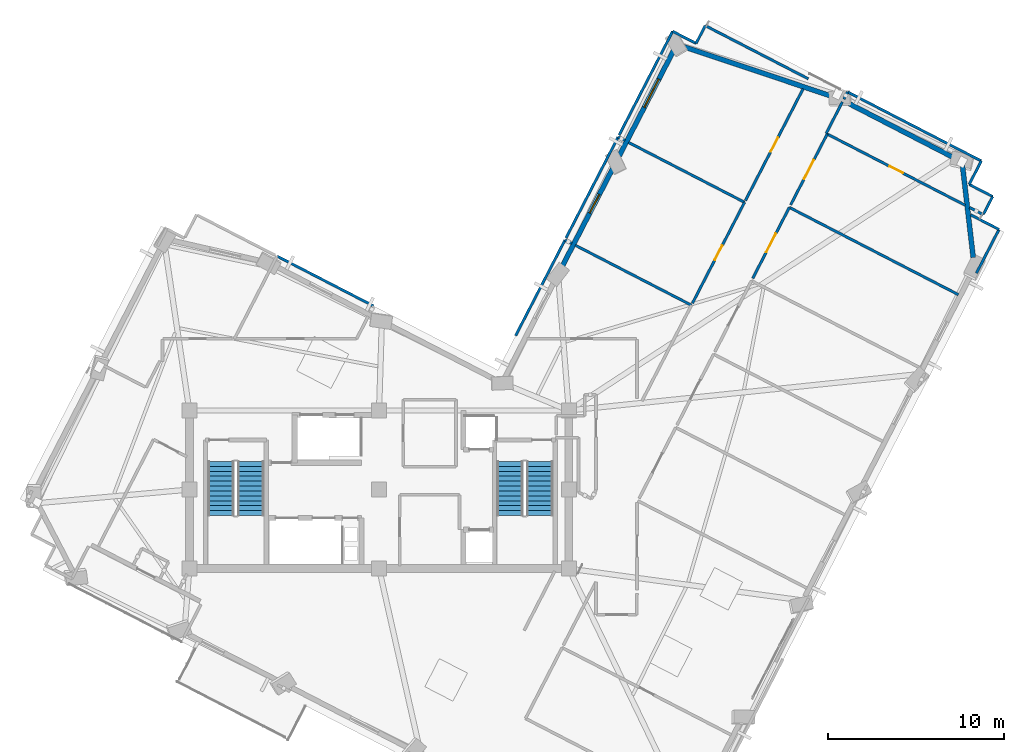
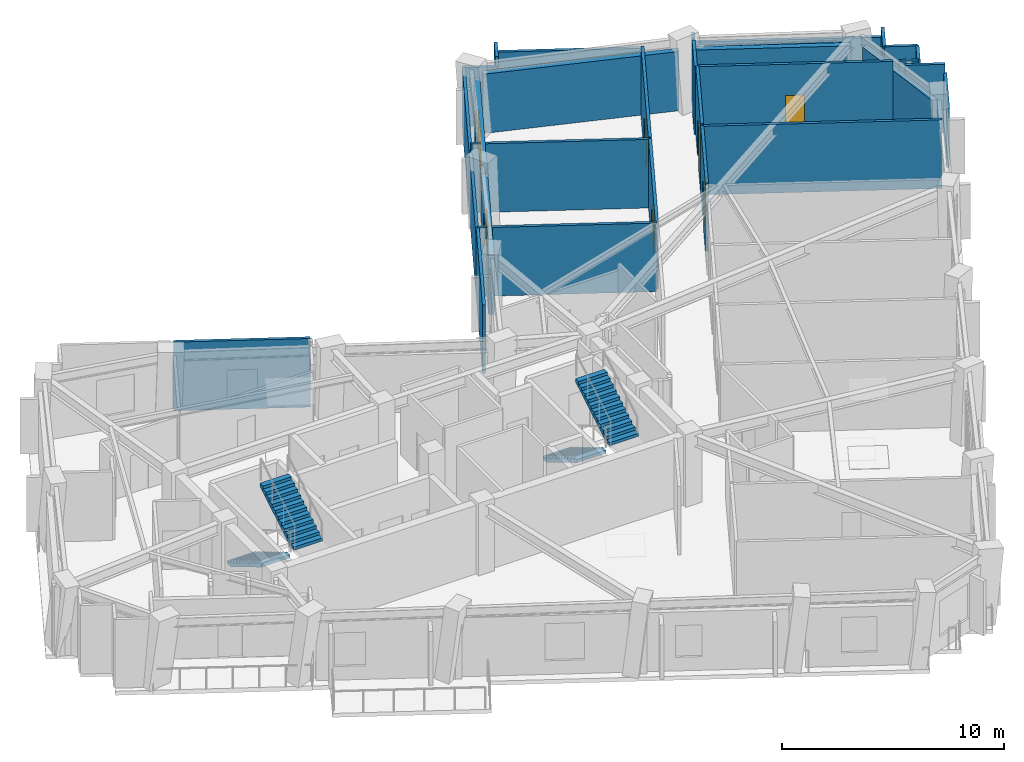
# One storey, part 8 of 11: 31 walls, 5 doors, 4 stair flights, 2 windows, 7 openings, 2 elements without a shape of their own.
"""IFC4 building model written with IfcOpenShell, lengths in metres."""

import ifcopenshell
import ifcopenshell.guid

model = None  # the IFC model being written
_history = None  # IfcOwnerHistory: only IFC2X3 demands one
_inside = {}  # id of a spatial element -> (the spatial element, [elements in it])
_under = {}  # id of a project, library or spatial element -> (it, [spatial elements below it])
_declared = {}  # id of a project -> (the project, [libraries it declares])
_typed = {}  # id of a type object -> (the type object, [elements of that type])
_made_of = {}  # id of a material, layer set ... -> (it, [elements and type objects made of it])


def new_model(schema):
    """Start an empty IFC model of exactly this schema.

    Asked for "IFC4X3", IfcOpenShell would pick the latest addendum, in which some entities
    have other attributes; the version numbers below select the first issue.
    IFC2X3 requires an IfcOwnerHistory on every rooted entity: one is made here for all.
    """
    global model, _history
    if schema == "IFC4X3":
        model = ifcopenshell.file(schema_version=(4, 3, 0, 0))
    else:
        model = ifcopenshell.file(schema=schema)
    _inside.clear()
    _under.clear()
    _declared.clear()
    _typed.clear()
    _made_of.clear()
    _history = None
    if model.schema == "IFC2X3":
        org = make("IfcOrganization", Name="unknown")
        user = make(
            "IfcPersonAndOrganization",
            ThePerson=make("IfcPerson", FamilyName="unknown"),
            TheOrganization=org,
        )
        app = make(
            "IfcApplication",
            ApplicationDeveloper=org,
            Version="unknown",
            ApplicationFullName="unknown",
            ApplicationIdentifier="unknown",
        )
        _history = make(
            "IfcOwnerHistory",
            OwningUser=user,
            OwningApplication=app,
            ChangeAction="ADDED",
            CreationDate=0,
        )
    return model


def make(cls, **values):
    """One entity of the class cls with the attributes given. An attribute that is None is left unset."""
    return model.create_entity(
        cls, **{name: value for name, value in values.items() if value is not None}
    )


def rooted(cls, **values):
    """An entity with a GlobalId (a new one), such as an element, a storey or a relation."""
    return make(cls, GlobalId=ifcopenshell.guid.new(), OwnerHistory=_history, **values)


def si_unit(unit_type, name, prefix=None):
    """IfcSIUnit, for example si_unit("LENGTHUNIT", "METRE", prefix="MILLI")."""
    return make("IfcSIUnit", UnitType=unit_type, Prefix=prefix, Name=name)


def assignment(units):
    """IfcUnitAssignment: the units of a project."""
    return None if units is None else make("IfcUnitAssignment", Units=units)


def point(xyz):
    """IfcCartesianPoint."""
    return None if xyz is None else make("IfcCartesianPoint", Coordinates=xyz)


def direction(xyz):
    """IfcDirection."""
    return None if xyz is None else make("IfcDirection", DirectionRatios=xyz)


def frame(location, z_axis=None, x_axis=None):
    """IfcAxis2Placement3D, a coordinate frame: its origin and axes. An axis left out is left unset."""
    return make(
        "IfcAxis2Placement3D",
        Location=point(location),
        Axis=direction(z_axis),
        RefDirection=direction(x_axis),
    )


def frame_2d(location, x_axis=None):
    """IfcAxis2Placement2D, a coordinate frame in the plane: its origin and x axis."""
    return make(
        "IfcAxis2Placement2D", Location=point(location), RefDirection=direction(x_axis)
    )


def origin():
    """The frame at (0, 0, 0) with its axes left unset."""
    return frame((0.0, 0.0, 0.0))


def place(relative_to, where):
    """IfcLocalPlacement: puts the frame where relative to a parent placement (None: the world)."""
    return make(
        "IfcLocalPlacement", PlacementRelTo=relative_to, RelativePlacement=where
    )


def context(
    kind, dimensions, precision=None, world=None, true_north=None, identifier=None
):
    """IfcGeometricRepresentationContext, for example the 3D "Model" context."""
    return make(
        "IfcGeometricRepresentationContext",
        ContextIdentifier=identifier,
        ContextType=kind,
        CoordinateSpaceDimension=dimensions,
        Precision=precision,
        WorldCoordinateSystem=world,
        TrueNorth=true_north,
    )


def subcontext(parent, identifier, kind, view, scale=None):
    """IfcGeometricRepresentationSubContext, for example "Body" below "Model"."""
    return make(
        "IfcGeometricRepresentationSubContext",
        ContextIdentifier=identifier,
        ContextType=kind,
        ParentContext=parent,
        TargetScale=scale,
        TargetView=view,
    )


def project(units=None, contexts=None):
    """IfcProject with its units and contexts."""
    return rooted(
        "IfcProject",
        Name="project",
        RepresentationContexts=contexts,
        UnitsInContext=assignment(units),
    )


def spatial(cls, under=None, at=None, **own):
    """A site, building, storey or space (cls), placed at a placement, below another one or the project."""
    s = rooted(cls, ObjectPlacement=at, **own)
    if under is not None:
        _under.setdefault(under.id(), (under, []))[1].append(s)
    return s


def polyline(points):
    """IfcPolyline through the points."""
    return make("IfcPolyline", Points=[point(p) for p in points])


def profile(cls, at=None, kind="AREA", **sizes):
    """A parametric profile (cls). Its sizes go by their IFC names, for example OverallWidth=200.0."""
    return make(cls, ProfileType=kind, Position=at, **sizes)


def rectangle(**sizes):
    """IfcRectangleProfileDef."""
    return profile("IfcRectangleProfileDef", **sizes)


def outline(outer, holes=None, kind="AREA"):
    """IfcArbitraryClosedProfileDef: a profile drawn as a closed curve; with holes, ...WithVoids."""
    if holes is None:
        return make("IfcArbitraryClosedProfileDef", ProfileType=kind, OuterCurve=outer)
    return make(
        "IfcArbitraryProfileDefWithVoids",
        ProfileType=kind,
        OuterCurve=outer,
        InnerCurves=holes,
    )


def extrude(swept, where, along, depth):
    """IfcExtrudedAreaSolid: the profile swept, set in the frame where, extruded along a direction by depth."""
    return make(
        "IfcExtrudedAreaSolid",
        SweptArea=swept,
        Position=where,
        ExtrudedDirection=direction(along),
        Depth=depth,
    )


def shape(context_of_items, identifier, shape_type, items):
    """IfcShapeRepresentation: the items that make up one representation, for example the "Body"."""
    return make(
        "IfcShapeRepresentation",
        ContextOfItems=context_of_items,
        RepresentationIdentifier=identifier,
        RepresentationType=shape_type,
        Items=items,
    )


def material(Name=None, Category=None):
    """IfcMaterial."""
    return make("IfcMaterial", Name=Name, Category=Category)


def layer(
    of_material, thickness, ventilated=None, Name=None, Category=None, Priority=None
):
    """IfcMaterialLayer: one layer of a wall or slab, of a material (None: an air gap)."""
    return make(
        "IfcMaterialLayer",
        Material=of_material,
        LayerThickness=thickness,
        IsVentilated=ventilated,
        Name=Name,
        Category=Category,
        Priority=Priority,
    )


def layer_set(layers, Name=None):
    """IfcMaterialLayerSet."""
    return make("IfcMaterialLayerSet", MaterialLayers=layers, LayerSetName=Name)


def made_of(thing, what):
    """Note that an element or type object is made of a material, layer set ...; save() writes the relation."""
    if what is not None:
        _made_of.setdefault(what.id(), (what, []))[1].append(thing)
    return thing


def type_object(cls, material=None, **own):
    """A type object (cls), such as IfcWallType, which elements share."""
    return made_of(rooted(cls, **own), material)


def element(
    cls,
    number,
    at=None,
    inside=None,
    cuts=None,
    type_object=None,
    material=None,
    context=None,
    identifier="Body",
    shape_type=None,
    held_by="IfcProductDefinitionShape",
    body=None,
    shapes=None,
    **own,
):
    """One element of the class cls, such as IfcWall. Its Tag is "e" and its number.

    at: its placement. inside: the storey or other place that contains it. cuts: it is an
    opening in that element (IfcRelVoidsElement). A single representation is given by context,
    identifier, shape_type and body (its items); several are given by shapes. held_by: the class
    of the entity that holds the representations. save() writes the other relations.
    """
    e = rooted(cls, Tag="e%d" % number, ObjectPlacement=at, **own)
    if body is not None:
        shapes = [shape(context, identifier, shape_type, body)]
    if shapes is not None:
        e.Representation = make(held_by, Representations=shapes)
    if inside is not None:
        _inside.setdefault(inside.id(), (inside, []))[1].append(e)
    if cuts is not None:
        rooted(
            "IfcRelVoidsElement", RelatingBuildingElement=cuts, RelatedOpeningElement=e
        )
    if type_object is not None:
        _typed.setdefault(type_object.id(), (type_object, []))[1].append(e)
    return made_of(e, material)


def fill(opening, filler):
    """IfcRelFillsElement: the door or window that sits in an opening."""
    return rooted(
        "IfcRelFillsElement",
        RelatingOpeningElement=opening,
        RelatedBuildingElement=filler,
    )


def aggregate(whole, parts):
    """IfcRelAggregates: a whole, such as a stair, and the parts it consists of."""
    return rooted("IfcRelAggregates", RelatingObject=whole, RelatedObjects=parts)


def save(model, path):
    """Write the relations noted so far, then the file.

    IfcRelAggregates (storeys below a building ...), IfcRelContainedInSpatialStructure (elements
    in a storey), IfcRelDefinesByType, IfcRelAssociatesMaterial and IfcRelDeclares: one each for
    every whole, place, type object, material and project.
    """
    for whole, parts in _under.values():
        aggregate(whole, parts)
    for where, things in _inside.values():
        rooted(
            "IfcRelContainedInSpatialStructure",
            RelatedElements=things,
            RelatingStructure=where,
        )
    for kind, things in _typed.values():
        rooted("IfcRelDefinesByType", RelatedObjects=things, RelatingType=kind)
    for what, things in _made_of.values():
        rooted("IfcRelAssociatesMaterial", RelatedObjects=things, RelatingMaterial=what)
    for by, libraries in _declared.values():
        rooted("IfcRelDeclares", RelatingContext=by, RelatedDefinitions=libraries)
    model.write(path)


model = new_model("IFC4")

# Units and contexts
model_context = context("Model", 3, precision=1e-05, world=origin(), true_north=direction((0.0, 1.0)))
body_context = subcontext(model_context, "Body", "Model", "MODEL_VIEW")
ifc_project = project(units=[si_unit("LENGTHUNIT", "METRE"), si_unit("AREAUNIT", "SQUARE_METRE"), si_unit("VOLUMEUNIT", "CUBIC_METRE"), si_unit("PLANEANGLEUNIT", "RADIAN"), si_unit("MASSUNIT", "GRAM", prefix="KILO")], contexts=[model_context])

# Site, building, storey
site_placement = place(None, origin())
site = spatial("IfcSite", under=ifc_project, at=site_placement, CompositionType="ELEMENT")
building_placement = place(site_placement, origin())
building = spatial("IfcBuilding", under=site, at=building_placement, Name="Gaonmaruhae Medical Tower", CompositionType="ELEMENT")
storey_placement = place(building_placement, frame((0.0, 0.0, 292.60009765625)))
storey = spatial("IfcBuildingStorey", under=building, at=storey_placement, Name="L70", CompositionType="ELEMENT", Elevation=292.60009765625)

# Walls
ifc_material_1 = material(Name="Precast concrete C45/55", Category="concrete")
ifc_layer_1 = layer(ifc_material_1, 0.280029296875)
ifc_layer_set_1 = layer_set([ifc_layer_1], Name="Precast concrete C45/55")
wall_type_1 = type_object("IfcWallType", Name="EW-280 Upper Precast Masonry-Frame Facade Wall", PredefinedType="SOLIDWALL", material=ifc_layer_set_1)
wall_1_placement = place(storey_placement, frame((58.009033203125, 30.76123046875, 0.0), z_axis=(0.0, 0.0, 1.0), x_axis=(0.115795015277, -0.993273131841, 0.0)))
element("IfcWall", 1, at=wall_1_placement, inside=storey, type_object=wall_type_1, Name="L70 Precast Masonry-Frame Wall S06-E01", PredefinedType="SOLIDWALL", context=body_context, shape_type="SweptSolid", body=[
    extrude(rectangle(XDim=5.294189453125, YDim=0.280029296875, at=frame_2d((2.64697265625, 0.0))), origin(), (0.0, 0.0, 1.0), 3.264892578125),
])
wall_2_placement = place(storey_placement, frame((51.2763671875, 34.41357421875, 0.0), z_axis=(0.0, 0.0, 1.0), x_axis=(0.888608813348, -0.458665866226, 0.0)))
element("IfcWall", 2, at=wall_2_placement, inside=storey, type_object=wall_type_1, Name="L70 Precast Masonry-Frame Wall E01-E02", PredefinedType="SOLIDWALL", context=body_context, shape_type="SweptSolid", body=[
    extrude(rectangle(XDim=7.04638671875, YDim=0.280029296875, at=frame_2d((3.523193359375, 0.0))), origin(), (0.0, 0.0, 1.0), 3.264892578125),
])
wall_3_placement = place(storey_placement, frame((42.0078125, 37.556396484375, 0.0), z_axis=(0.0, 0.0, 1.0), x_axis=(0.948271827041, -0.317459512443, 0.0)))
element("IfcWall", 3, at=wall_3_placement, inside=storey, type_object=wall_type_1, Name="L70 Precast Masonry-Frame Wall E02-E03", PredefinedType="SOLIDWALL", context=body_context, shape_type="SweptSolid", body=[
    extrude(rectangle(XDim=9.036376953125, YDim=0.280029296875, at=frame_2d((4.51806640625, 0.0))), origin(), (0.0, 0.0, 1.0), 3.264892578125),
])

# Wall, opening, window
wall_4_placement = place(storey_placement, frame((38.47021484375, 31.29248046875, 0.0), z_axis=(0.0, 0.0, 1.0), x_axis=(0.458656678591, 0.888613555593, 0.0)))
wall_4 = element("IfcWall", 4, at=wall_4_placement, inside=storey, type_object=wall_type_1, Name="L70 Precast Masonry-Frame Wall E03-EN01", PredefinedType="SOLIDWALL", context=body_context, shape_type="SweptSolid", body=[
    extrude(rectangle(XDim=6.77978515625, YDim=0.280029296875, at=frame_2d((3.389892578125, 0.0))), origin(), (0.0, 0.0, 1.0), 3.264892578125),
])
opening_1_placement = place(wall_4_placement, frame((3.112548828125, 0.0, 0.75)))
opening_1 = element("IfcOpeningElement", 5, at=opening_1_placement, cuts=wall_4, Name="Opening WN-04", PredefinedType="OPENING", context=body_context, shape_type="SweptSolid", body=[
    extrude(rectangle(XDim=1.800048828125, YDim=2.050048828125, at=frame_2d((0.89990234375, 1.02490234375))), frame((0.0, 0.14990234375, 0.0), z_axis=(0.0, -1.0, 0.0), x_axis=(1.0, 0.0, 0.0)), (0.0, 0.0, 1.0), 0.300048828125),
])
ifc_material_2 = material(Name="Anodised aluminium and Low-E double glazing", Category="aluminium")
window_type_1 = type_object("IfcWindowType", Name="WN-04 Clinic & Consult Punched Window 1800x2050", PartitioningType="SINGLE_PANEL", PredefinedType="WINDOW", material=ifc_material_2)
window_1_placement = place(opening_1_placement, origin())
window_1 = element("IfcWindow", 6, at=window_1_placement, inside=storey, type_object=window_type_1, Name="L70 Modular Facade Window E03", OverallHeight=2.050048828125, OverallWidth=1.800048828125, PartitioningType="SINGLE_PANEL", PredefinedType="WINDOW", context=body_context, shape_type="SweptSolid", body=[
    extrude(rectangle(XDim=1.800048828125, YDim=2.050048828125, at=frame_2d((0.89990234375, 1.02490234375))), frame((0.0, 0.030029296875, 0.0), z_axis=(0.0, -1.0, 0.0), x_axis=(1.0, 0.0, 0.0)), (0.0, 0.0, 1.0), 0.06005859375),
])
fill(opening_1, window_1)

wall_5_placement = place(storey_placement, frame((35.17041015625, 24.8994140625, 0.0), z_axis=(0.0, 0.0, 1.0), x_axis=(0.458649711601, 0.888617151561, 0.0)))
wall_5 = element("IfcWall", 7, at=wall_5_placement, inside=storey, type_object=wall_type_1, Name="L70 Precast Masonry-Frame Wall EN01-EN02", PredefinedType="SOLIDWALL", context=body_context, shape_type="SweptSolid", body=[
    extrude(rectangle(XDim=6.409423828125, YDim=0.280029296875, at=frame_2d((3.20458984375, 0.0))), origin(), (0.0, 0.0, 1.0), 3.264892578125),
])
opening_2_placement = place(wall_5_placement, frame((3.532958984375, 0.0, 0.75)))
opening_2 = element("IfcOpeningElement", 8, at=opening_2_placement, cuts=wall_5, Name="Opening WN-05", PredefinedType="OPENING", context=body_context, shape_type="SweptSolid", body=[
    extrude(rectangle(XDim=1.199951171875, YDim=1.75, at=frame_2d((0.60009765625, 0.875))), frame((0.0, 0.14990234375, 0.0), z_axis=(0.0, -1.0, 0.0), x_axis=(1.0, 0.0, 0.0)), (0.0, 0.0, 1.0), 0.300048828125),
])
window_type_2 = type_object("IfcWindowType", Name="WN-05 Support & Staff Punched Window 1200x1750", PartitioningType="SINGLE_PANEL", PredefinedType="WINDOW", material=ifc_material_2)
window_2_placement = place(opening_2_placement, origin())
window_2 = element("IfcWindow", 9, at=window_2_placement, inside=storey, type_object=window_type_2, Name="L70 Modular Facade Window EN01", OverallHeight=1.75, OverallWidth=1.199951171875, PartitioningType="SINGLE_PANEL", PredefinedType="WINDOW", context=body_context, shape_type="SweptSolid", body=[
    extrude(rectangle(XDim=1.199951171875, YDim=1.75, at=frame_2d((0.60009765625, 0.875))), frame((0.0, 0.030029296875, 0.0), z_axis=(0.0, -1.0, 0.0), x_axis=(1.0, 0.0, 0.0)), (0.0, 0.0, 1.0), 0.06005859375),
])
fill(opening_2, window_2)

# Wall, opening, door
ifc_material_3 = material(Name="Gypsum board partition", Category="gypsum")
ifc_layer_2 = layer(ifc_material_3, 0.14990234375)
ifc_layer_set_2 = layer_set([ifc_layer_2], Name="Gypsum board partition")
wall_type_2 = type_object("IfcWallType", Name="PW-150 Rated Clinical Corridor Partition", PredefinedType="PARTITIONING", material=ifc_layer_set_2)
wall_6_placement = place(storey_placement, frame((46.072021484375, 24.326904296875, 0.0), z_axis=(0.0, 0.0, 1.0), x_axis=(0.458621001786, 0.888631969221, 0.0)))
wall_6 = element("IfcWall", 10, at=wall_6_placement, inside=storey, type_object=wall_type_2, Name="L70 Interior Partition L70-SUP08-28", PredefinedType="PARTITIONING", context=body_context, shape_type="SweptSolid", body=[
    extrude(rectangle(XDim=4.539794921875, YDim=0.14990234375, at=frame_2d((2.27001953125, 0.0))), origin(), (0.0, 0.0, 1.0), 3.77978515625),
])
opening_3_placement = place(wall_6_placement, frame((1.669921875, 0.0, 0.0)))
opening_3 = element("IfcOpeningElement", 11, at=opening_3_placement, cuts=wall_6, Name="Opening CD-02", PredefinedType="OPENING", context=body_context, shape_type="SweptSolid", body=[
    extrude(rectangle(XDim=1.199951171875, YDim=2.14990234375, at=frame_2d((0.60009765625, 1.074951171875))), frame((0.0, 0.0849609375, 0.0), z_axis=(0.0, -1.0, 0.0), x_axis=(1.0, 0.0, 0.0)), (0.0, 0.0, 1.0), 0.169921875),
])
ifc_material_4 = material(Name="Antimicrobial laminate timber fire door", Category="wood")
door_type_1 = type_object("IfcDoorType", Name="CD-02 Clinical Treatment & Procedure Door 1200x2150", OperationType="NOTDEFINED", PredefinedType="DOOR", material=ifc_material_4)
door_1_placement = place(opening_3_placement, origin())
door_1 = element("IfcDoor", 12, at=door_1_placement, inside=storey, type_object=door_type_1, Name="L70 Clinical Biomedical Charting Office Door", OperationType="SINGLE_SWING_LEFT", OverallHeight=2.14990234375, OverallWidth=1.199951171875, PredefinedType="DOOR", context=body_context, shape_type="SweptSolid", body=[
    extrude(rectangle(XDim=1.199951171875, YDim=2.14990234375, at=frame_2d((0.60009765625, 1.074951171875))), frame((0.0, 0.02490234375, 0.0), z_axis=(0.0, -1.0, 0.0), x_axis=(1.0, 0.0, 0.0)), (0.0, 0.0, 1.0), 0.050048828125),
])
fill(opening_3, door_1)

# Walls
wall_7_placement = place(storey_placement, frame((48.154052734375, 28.361083984375, 0.0), z_axis=(0.0, 0.0, 1.0), x_axis=(0.888649389218, -0.458587246926, 0.0)))
element("IfcWall", 13, at=wall_7_placement, inside=storey, type_object=wall_type_2, Name="L70 Interior Partition L70-SUP08-29", PredefinedType="PARTITIONING", context=body_context, shape_type="SweptSolid", body=[
    extrude(rectangle(XDim=10.83544921875, YDim=0.14990234375, at=frame_2d((5.417724609375, 0.0))), origin(), (0.0, 0.0, 1.0), 3.77978515625),
])
wall_8_placement = place(storey_placement, frame((60.089111328125, 27.10791015625, 0.0), z_axis=(0.0, 0.0, 1.0), x_axis=(-0.45864291977, -0.888620657055, 0.0)))
element("IfcWall", 14, at=wall_8_placement, inside=storey, type_object=wall_type_2, Name="L70 Interior Partition L70-SUP09-30", PredefinedType="PARTITIONING", context=body_context, shape_type="SweptSolid", body=[
    extrude(rectangle(XDim=2.802001953125, YDim=0.14990234375, at=frame_2d((1.40087890625, 0.0))), origin(), (0.0, 0.0, 1.0), 3.264892578125),
])

# Wall, opening, door
wall_9_placement = place(storey_placement, frame((48.22802734375, 28.5029296875, 0.0), z_axis=(0.0, 0.0, 1.0), x_axis=(0.458533348006, 0.888677201669, 0.0)))
wall_9 = element("IfcWall", 15, at=wall_9_placement, inside=storey, type_object=wall_type_2, Name="L70 Interior Partition L70-SUP09-31", PredefinedType="PARTITIONING", context=body_context, shape_type="SweptSolid", body=[
    extrude(rectangle(XDim=4.54052734375, YDim=0.14990234375, at=frame_2d((2.270263671875, 0.0))), origin(), (0.0, 0.0, 1.0), 3.77978515625),
])
opening_4_placement = place(wall_9_placement, frame((1.670166015625, 0.0, 0.0)))
opening_4 = element("IfcOpeningElement", 16, at=opening_4_placement, cuts=wall_9, Name="Opening CD-02", PredefinedType="OPENING", context=body_context, shape_type="SweptSolid", body=[
    extrude(rectangle(XDim=1.199951171875, YDim=2.14990234375, at=frame_2d((0.60009765625, 1.074951171875))), frame((0.0, 0.0849609375, 0.0), z_axis=(0.0, -1.0, 0.0), x_axis=(1.0, 0.0, 0.0)), (0.0, 0.0, 1.0), 0.169921875),
])
door_2_placement = place(opening_4_placement, origin())
door_2 = element("IfcDoor", 17, at=door_2_placement, inside=storey, type_object=door_type_1, Name="L70 Clinical Biomedical Charting Office Door", OperationType="SINGLE_SWING_RIGHT", OverallHeight=2.14990234375, OverallWidth=1.199951171875, PredefinedType="DOOR", context=body_context, shape_type="SweptSolid", body=[
    extrude(rectangle(XDim=1.199951171875, YDim=2.14990234375, at=frame_2d((0.60009765625, 1.074951171875))), frame((0.0, 0.02490234375, 0.0), z_axis=(0.0, -1.0, 0.0), x_axis=(1.0, 0.0, 0.0)), (0.0, 0.0, 1.0), 0.050048828125),
])
fill(opening_4, door_2)

wall_10_placement = place(storey_placement, frame((50.31005859375, 32.5380859375, 0.0), z_axis=(0.0, 0.0, 1.0), x_axis=(0.888597759836, -0.458687280415, 0.0)))
wall_10 = element("IfcWall", 18, at=wall_10_placement, inside=storey, type_object=wall_type_2, Name="L70 Interior Partition L70-SUP09-32", PredefinedType="PARTITIONING", context=body_context, shape_type="SweptSolid", body=[
    extrude(rectangle(XDim=8.831787109375, YDim=0.14990234375, at=frame_2d((4.416015625, 0.0))), origin(), (0.0, 0.0, 1.0), 3.77978515625),
])
opening_5_placement = place(wall_10_placement, frame((3.98583984375, 0.0, 0.0)))
opening_5 = element("IfcOpeningElement", 19, at=opening_5_placement, cuts=wall_10, Name="Opening AD-01", PredefinedType="OPENING", context=body_context, shape_type="SweptSolid", body=[
    extrude(rectangle(XDim=0.860107421875, YDim=2.06005859375, at=frame_2d((0.43017578125, 1.030029296875))), frame((0.0, 0.0849609375, 0.0), z_axis=(0.0, -1.0, 0.0), x_axis=(1.0, 0.0, 0.0)), (0.0, 0.0, 1.0), 0.169921875),
])
ifc_material_5 = material(Name="Powder-coated steel access door", Category="steel")
door_type_2 = type_object("IfcDoorType", Name="AD-01 Riser & Closet Access Fire Door 860x2060", OperationType="NOTDEFINED", PredefinedType="DOOR", material=ifc_material_5)
door_3_placement = place(opening_5_placement, origin())
door_3 = element("IfcDoor", 20, at=door_3_placement, inside=storey, type_object=door_type_2, Name="L70 Clinical Records Office Sliding Door", OperationType="SLIDING_TO_LEFT", OverallHeight=2.06005859375, OverallWidth=0.860107421875, PredefinedType="DOOR", context=body_context, shape_type="SweptSolid", body=[
    extrude(rectangle(XDim=0.860107421875, YDim=2.06005859375, at=frame_2d((0.43017578125, 1.030029296875))), frame((0.0, 0.02490234375, 0.0), z_axis=(0.0, -1.0, 0.0), x_axis=(1.0, 0.0, 0.0)), (0.0, 0.0, 1.0), 0.050048828125),
])
fill(opening_5, door_3)

# Walls
wall_11_placement = place(storey_placement, frame((58.405029296875, 28.35888671875, 0.0), z_axis=(0.0, 0.0, 1.0), x_axis=(0.888761263452, -0.458370392354, 0.0)))
element("IfcWall", 21, at=wall_11_placement, inside=storey, type_object=wall_type_2, Name="L70 Interior Partition L70-SUP09-33", PredefinedType="PARTITIONING", context=body_context, shape_type="SweptSolid", body=[
    extrude(rectangle(XDim=0.89013671875, YDim=0.14990234375, at=frame_2d((0.445068359375, 0.0))), origin(), (0.0, 0.0, 1.0), 3.77978515625),
])
wall_12_placement = place(storey_placement, frame((58.470947265625, 27.94189453125, 0.0), z_axis=(0.0, 0.0, 1.0), x_axis=(0.88888850719, -0.458123587894, 0.0)))
element("IfcWall", 22, at=wall_12_placement, inside=storey, type_object=wall_type_2, Name="L70 Interior Partition L70-SUP09-34", PredefinedType="PARTITIONING", context=body_context, shape_type="SweptSolid", body=[
    extrude(rectangle(XDim=1.820556640625, YDim=0.14990234375, at=frame_2d((0.91015625, 0.0))), origin(), (0.0, 0.0, 1.0), 3.77978515625),
])
wall_13_placement = place(storey_placement, frame((32.56591796875, 21.052001953125, 0.0), z_axis=(0.0, 0.0, 1.0), x_axis=(0.45865608207, 0.888613863486, 0.0)))
element("IfcWall", 23, at=wall_13_placement, inside=storey, type_object=wall_type_2, Name="L70 Interior Partition L70-IE03-71", PredefinedType="PARTITIONING", context=body_context, shape_type="SweptSolid", body=[
    extrude(rectangle(XDim=6.14208984375, YDim=0.14990234375, at=frame_2d((3.071044921875, 0.0))), origin(), (0.0, 0.0, 1.0), 3.77978515625),
])
wall_14_placement = place(storey_placement, frame((35.383056640625, 26.510009765625, 0.0), z_axis=(0.0, 0.0, 1.0), x_axis=(0.888849679111, -0.458198917442, 0.0)))
element("IfcWall", 24, at=wall_14_placement, inside=storey, type_object=wall_type_2, Name="L70 Interior Partition L70-IE03-72", PredefinedType="PARTITIONING", context=body_context, shape_type="SweptSolid", body=[
    extrude(rectangle(XDim=0.434326171875, YDim=0.14990234375, at=frame_2d((0.21728515625, 0.0))), origin(), (0.0, 0.0, 1.0), 3.77978515625),
])
wall_15_placement = place(storey_placement, frame((35.97412109375, 26.205078125, 0.0), z_axis=(0.0, 0.0, 1.0), x_axis=(0.888613749746, -0.458656302433, 0.0)))
element("IfcWall", 25, at=wall_15_placement, inside=storey, type_object=wall_type_2, Name="L70 Interior Partition L70-IE03-73", PredefinedType="PARTITIONING", context=body_context, shape_type="SweptSolid", body=[
    extrude(rectangle(XDim=7.43505859375, YDim=0.14990234375, at=frame_2d((3.717529296875, 0.0))), origin(), (0.0, 0.0, 1.0), 3.77978515625),
])

# Wall, opening, door
wall_16_placement = place(storey_placement, frame((45.60400390625, 28.653076171875, 0.0), z_axis=(0.0, 0.0, 1.0), x_axis=(-0.458615052494, -0.888635039612, 0.0)))
wall_16 = element("IfcWall", 26, at=wall_16_placement, inside=storey, type_object=wall_type_2, Name="L70 Interior Partition L70-IE04-76", PredefinedType="PARTITIONING", context=body_context, shape_type="SweptSolid", body=[
    extrude(rectangle(XDim=6.4716796875, YDim=0.14990234375, at=frame_2d((3.23583984375, 0.0))), origin(), (0.0, 0.0, 1.0), 3.77978515625),
])
opening_6_placement = place(wall_16_placement, frame((2.77587890625, 0.0, 0.0)))
opening_6 = element("IfcOpeningElement", 27, at=opening_6_placement, cuts=wall_16, Name="Opening UD-01", PredefinedType="OPENING", context=body_context, shape_type="SweptSolid", body=[
    extrude(rectangle(XDim=0.919921875, YDim=2.10009765625, at=frame_2d((0.4599609375, 1.050048828125))), frame((0.0, 0.0849609375, 0.0), z_axis=(0.0, -1.0, 0.0), x_axis=(1.0, 0.0, 0.0)), (0.0, 0.0, 1.0), 0.169921875),
])
ifc_material_6 = material(Name="Powder-coated steel utility door", Category="steel")
door_type_3 = type_object("IfcDoorType", Name="UD-01 Toilet, Utility & Housekeeping Door 920x2100", OperationType="NOTDEFINED", PredefinedType="DOOR", material=ifc_material_6)
door_4_placement = place(opening_6_placement, origin())
door_4 = element("IfcDoor", 28, at=door_4_placement, inside=storey, type_object=door_type_3, Name="L70 Accessible Public Toilet Door", OperationType="SINGLE_SWING_LEFT", OverallHeight=2.10009765625, OverallWidth=0.919921875, PredefinedType="DOOR", context=body_context, shape_type="SweptSolid", body=[
    extrude(rectangle(XDim=0.919921875, YDim=2.10009765625, at=frame_2d((0.4599609375, 1.050048828125))), frame((0.0, 0.02490234375, 0.0), z_axis=(0.0, -1.0, 0.0), x_axis=(1.0, 0.0, 0.0)), (0.0, 0.0, 1.0), 0.050048828125),
])
fill(opening_6, door_4)

# Walls
wall_17_placement = place(storey_placement, frame((35.43798828125, 26.616943359375, 0.0), z_axis=(0.0, 0.0, 1.0), x_axis=(0.458615052494, 0.888635039612, 0.0)))
element("IfcWall", 29, at=wall_17_placement, inside=storey, type_object=wall_type_2, Name="L70 Interior Partition L70-IE04-77", PredefinedType="PARTITIONING", context=body_context, shape_type="SweptSolid", body=[
    extrude(rectangle(XDim=6.4716796875, YDim=0.14990234375, at=frame_2d((3.23583984375, 0.0))), origin(), (0.0, 0.0, 1.0), 3.264892578125),
])
wall_18_placement = place(storey_placement, frame((38.406005859375, 32.367919921875, 0.0), z_axis=(0.0, 0.0, 1.0), x_axis=(0.888406857878, -0.459056918992, 0.0)))
element("IfcWall", 30, at=wall_18_placement, inside=storey, type_object=wall_type_2, Name="L70 Interior Partition L70-IE04-78", PredefinedType="PARTITIONING", context=body_context, shape_type="SweptSolid", body=[
    extrude(rectangle(XDim=0.435546875, YDim=0.14990234375, at=frame_2d((0.2177734375, 0.0))), origin(), (0.0, 0.0, 1.0), 3.77978515625),
])
wall_19_placement = place(storey_placement, frame((38.9970703125, 32.06298828125, 0.0), z_axis=(0.0, 0.0, 1.0), x_axis=(0.888627132571, -0.45863037324, 0.0)))
element("IfcWall", 31, at=wall_19_placement, inside=storey, type_object=wall_type_2, Name="L70 Interior Partition L70-IE04-79", PredefinedType="PARTITIONING", context=body_context, shape_type="SweptSolid", body=[
    extrude(rectangle(XDim=7.43505859375, YDim=0.14990234375, at=frame_2d((3.717529296875, 0.0))), origin(), (0.0, 0.0, 1.0), 3.77978515625),
])
wall_20_placement = place(storey_placement, frame((42.844970703125, 37.696044921875, 0.0), z_axis=(0.0, 0.0, 1.0), x_axis=(0.458064332717, 0.888919044173, 0.0)))
element("IfcWall", 32, at=wall_20_placement, inside=storey, type_object=wall_type_2, Name="L70 Interior Partition L70-IE05-80", PredefinedType="PARTITIONING", context=body_context, shape_type="SweptSolid", body=[
    extrude(rectangle(XDim=1.139404296875, YDim=0.14990234375, at=frame_2d((0.56982421875, 0.0))), origin(), (0.0, 0.0, 1.0), 3.77978515625),
])
wall_21_placement = place(storey_placement, frame((43.366943359375, 38.708984375, 0.0), z_axis=(0.0, 0.0, 1.0), x_axis=(0.888620170739, -0.458643862007, 0.0)))
element("IfcWall", 33, at=wall_21_placement, inside=storey, type_object=wall_type_2, Name="L70 Interior Partition L70-IE05-81", PredefinedType="PARTITIONING", context=body_context, shape_type="SweptSolid", body=[
    extrude(rectangle(XDim=6.60009765625, YDim=0.14990234375, at=frame_2d((3.300048828125, 0.0))), origin(), (0.0, 0.0, 1.0), 3.264892578125),
])

# Wall, opening, door
wall_22_placement = place(storey_placement, frame((48.93896484375, 35.114990234375, 0.0), z_axis=(0.0, 0.0, 1.0), x_axis=(-0.458647267692, -0.888618412953, 0.0)))
wall_22 = element("IfcWall", 34, at=wall_22_placement, inside=storey, type_object=wall_type_2, Name="L70 Interior Partition L70-IE05-82", PredefinedType="PARTITIONING", context=body_context, shape_type="SweptSolid", body=[
    extrude(rectangle(XDim=7.151611328125, YDim=0.14990234375, at=frame_2d((3.57568359375, 0.0))), origin(), (0.0, 0.0, 1.0), 3.77978515625),
])
opening_7_placement = place(wall_22_placement, frame((3.11572265625, 0.0, 0.0)))
opening_7 = element("IfcOpeningElement", 35, at=opening_7_placement, cuts=wall_22, Name="Opening UD-01", PredefinedType="OPENING", context=body_context, shape_type="SweptSolid", body=[
    extrude(rectangle(XDim=0.919921875, YDim=2.10009765625, at=frame_2d((0.4599609375, 1.050048828125))), frame((0.0, 0.0849609375, 0.0), z_axis=(0.0, -1.0, 0.0), x_axis=(1.0, 0.0, 0.0)), (0.0, 0.0, 1.0), 0.169921875),
])
door_5_placement = place(opening_7_placement, origin())
door_5 = element("IfcDoor", 36, at=door_5_placement, inside=storey, type_object=door_type_3, Name="L70 Ward Housekeeping and Linen Store Door", OperationType="SINGLE_SWING_LEFT", OverallHeight=2.10009765625, OverallWidth=0.919921875, PredefinedType="DOOR", context=body_context, shape_type="SweptSolid", body=[
    extrude(rectangle(XDim=0.919921875, YDim=2.10009765625, at=frame_2d((0.4599609375, 1.050048828125))), frame((0.0, 0.02490234375, 0.0), z_axis=(0.0, -1.0, 0.0), x_axis=(1.0, 0.0, 0.0)), (0.0, 0.0, 1.0), 0.050048828125),
])
fill(opening_7, door_5)

# Walls
wall_23_placement = place(storey_placement, frame((38.4609375, 32.47509765625, 0.0), z_axis=(0.0, 0.0, 1.0), x_axis=(0.458791602038, 0.888543902066, 0.0)))
element("IfcWall", 37, at=wall_23_placement, inside=storey, type_object=wall_type_2, Name="L70 Interior Partition L70-IE05-83", PredefinedType="PARTITIONING", context=body_context, shape_type="SweptSolid", body=[
    extrude(rectangle(XDim=6.650146484375, YDim=0.14990234375, at=frame_2d((3.3251953125, 0.0))), origin(), (0.0, 0.0, 1.0), 3.264892578125),
])
wall_24_placement = place(storey_placement, frame((41.511962890625, 38.384033203125, 0.0), z_axis=(0.0, 0.0, 1.0), x_axis=(0.88862493644, -0.458634628368, 0.0)))
element("IfcWall", 38, at=wall_24_placement, inside=storey, type_object=wall_type_2, Name="L70 Interior Partition L70-IE05-84", PredefinedType="PARTITIONING", context=body_context, shape_type="SweptSolid", body=[
    extrude(rectangle(XDim=1.5, YDim=0.14990234375, at=frame_2d((0.75, 0.0))), origin(), (0.0, 0.0, 1.0), 3.264892578125),
])
wall_25_placement = place(storey_placement, frame((18.993896484375, 25.5869140625, 0.0), z_axis=(0.0, 0.0, 1.0), x_axis=(0.888601960955, -0.458679141652, 0.0)))
element("IfcWall", 39, at=wall_25_placement, inside=storey, type_object=wall_type_2, Name="L70 Interior Partition L70-IN02-87", PredefinedType="PARTITIONING", context=body_context, shape_type="SweptSolid", body=[
    extrude(rectangle(XDim=6.1806640625, YDim=0.14990234375, at=frame_2d((3.09033203125, 0.0))), origin(), (0.0, 0.0, 1.0), 3.77978515625),
])
wall_26_placement = place(storey_placement, frame((50.248046875, 32.570068359375, 0.0), z_axis=(0.0, 0.0, 1.0), x_axis=(0.458504205915, 0.888692237593, 0.0)))
element("IfcWall", 40, at=wall_26_placement, inside=storey, type_object=wall_type_2, Name="L70 Interior Partition L70-RM04-100", PredefinedType="PARTITIONING", context=body_context, shape_type="SweptSolid", body=[
    extrude(rectangle(XDim=2.017578125, YDim=0.14990234375, at=frame_2d((1.0087890625, 0.0))), origin(), (0.0, 0.0, 1.0), 3.77978515625),
])
wall_27_placement = place(storey_placement, frame((51.258056640625, 34.527099609375, 0.0), z_axis=(0.0, 0.0, 1.0), x_axis=(0.458479954592, 0.888704749192, 0.0)))
element("IfcWall", 41, at=wall_27_placement, inside=storey, type_object=wall_type_2, Name="L70 Interior Partition L70-RM04-101", PredefinedType="PARTITIONING", context=body_context, shape_type="SweptSolid", body=[
    extrude(rectangle(XDim=0.4580078125, YDim=0.14990234375, at=frame_2d((0.22900390625, 0.0))), origin(), (0.0, 0.0, 1.0), 3.77978515625),
])
wall_28_placement = place(storey_placement, frame((51.468017578125, 34.93408203125, 0.0), z_axis=(0.0, 0.0, 1.0), x_axis=(0.888580952586, -0.458719839009, 0.0)))
element("IfcWall", 42, at=wall_28_placement, inside=storey, type_object=wall_type_2, Name="L70 Interior Partition L70-RM04-102", PredefinedType="PARTITIONING", context=body_context, shape_type="SweptSolid", body=[
    extrude(rectangle(XDim=8.56982421875, YDim=0.14990234375, at=frame_2d((4.284912109375, 0.0))), origin(), (0.0, 0.0, 1.0), 3.264892578125),
])
for number, where, z_axis, x_axis, name in (
    (43, (59.0830078125, 31.0029296875, 0.0), (0.0, 0.0, 1.0), (-0.458634628368, -0.88862493644, 0.0), "L70 Interior Partition L70-RM04-103"),
    (44, (58.39501953125, 29.669921875, 0.0), (0.0, 0.0, 1.0), (0.88862493644, -0.458634628368, 0.0), "L70 Interior Partition L70-RM04-104"),
):
    element("IfcWall", number, at=place(storey_placement, frame(where, z_axis=z_axis, x_axis=x_axis)), inside=storey, type_object=wall_type_2, Name=name, PredefinedType="PARTITIONING", context=body_context, shape_type="SweptSolid", body=[
        extrude(rectangle(XDim=1.5, YDim=0.14990234375, at=frame_2d((0.75, 0.0))), origin(), (0.0, 0.0, 1.0), 3.77978515625),
    ])
wall_29_placement = place(storey_placement, frame((59.72802734375, 28.98193359375, 0.0), z_axis=(0.0, 0.0, 1.0), x_axis=(-0.458741112522, -0.888569970054, 0.0)))
element("IfcWall", 45, at=wall_29_placement, inside=storey, type_object=wall_type_2, Name="L70 Interior Partition L70-RM04-105", PredefinedType="PARTITIONING", context=body_context, shape_type="SweptSolid", body=[
    extrude(rectangle(XDim=1.139892578125, YDim=0.14990234375, at=frame_2d((0.56982421875, 0.0))), origin(), (0.0, 0.0, 1.0), 3.77978515625),
])

# Stair, stair flights
ifc_material_7 = material(Name="Concrete C40/50", Category="concrete")
stair_type = type_object("IfcStairType", Name="ST-T1 Primary Core Escape Dogleg Stair", PredefinedType="TWO_QUARTER_TURN_STAIR", material=ifc_material_7)
stair_1_placement = place(storey_placement, origin())
stair_1 = element("IfcStair", 46, at=stair_1_placement, inside=storey, type_object=stair_type, Name="L70 Protected Escape Stair ST-01", PredefinedType="TWO_QUARTER_TURN_STAIR")
stair_flight_type = type_object("IfcStairFlightType", Name="SF-T1 Primary Core Precast Stair Flight", PredefinedType="STRAIGHT", material=ifc_material_7)
stair_flight_1_placement = place(storey_placement, frame((15.800048828125, 13.89990234375, 0.0), z_axis=(0.0, 0.0, 1.0), x_axis=(0.0, -1.0, 0.0)))
stair_flight_1 = element("IfcStairFlight", 47, at=stair_flight_1_placement, type_object=stair_flight_type, Name="ST-01 flight 1", NumberOfRisers=12, NumberOfTreads=11, PredefinedType="STRAIGHT", RiserHeight=0.166666667, TreadLength=0.28, context=body_context, shape_type="SweptSolid", body=[
    extrude(outline(polyline([(0.0, 0.0), (0.0, 0.166748046875), (0.280029296875, 0.166748046875), (0.280029296875, 0.333251953125), (0.56005859375, 0.333251953125), (0.56005859375, 0.5), (0.840087890625, 0.5), (0.840087890625, 0.666748046875), (1.1201171875, 0.666748046875), (1.1201171875, 0.833251953125), (1.39990234375, 0.833251953125), (1.39990234375, 1.0), (1.679931640625, 1.0), (1.679931640625, 1.166748046875), (1.9599609375, 1.166748046875), (1.9599609375, 1.333251953125), (2.239990234375, 1.333251953125), (2.239990234375, 1.5), (2.52001953125, 1.5), (2.52001953125, 1.666748046875), (2.800048828125, 1.666748046875), (2.800048828125, 1.833251953125), (3.080078125, 1.833251953125), (3.080078125, 2.0), (3.080078125, 1.658935546875), (0.29296875, 0.0), (0.0, 0.0)])), frame((0.0, 0.75, 0.0), z_axis=(0.0, -1.0, 0.0), x_axis=(1.0, 0.0, 0.0)), (0.0, 0.0, 1.0), 1.5),
])
stair_flight_2_placement = place(storey_placement, frame((17.5, 10.820068359375, 2.0), z_axis=(0.0, 0.0, 1.0), x_axis=(0.0, 1.0, 0.0)))
stair_flight_2 = element("IfcStairFlight", 48, at=stair_flight_2_placement, type_object=stair_flight_type, Name="ST-01 flight 2", NumberOfRisers=12, NumberOfTreads=11, PredefinedType="STRAIGHT", RiserHeight=0.166666667, TreadLength=0.28, context=body_context, shape_type="SweptSolid", body=[
    extrude(outline(polyline([(0.0, 0.0), (0.0, 0.166748046875), (0.280029296875, 0.166748046875), (0.280029296875, 0.333251953125), (0.56005859375, 0.333251953125), (0.56005859375, 0.5), (0.840087890625, 0.5), (0.840087890625, 0.666748046875), (1.1201171875, 0.666748046875), (1.1201171875, 0.833251953125), (1.39990234375, 0.833251953125), (1.39990234375, 1.0), (1.679931640625, 1.0), (1.679931640625, 1.166748046875), (1.9599609375, 1.166748046875), (1.9599609375, 1.333251953125), (2.239990234375, 1.333251953125), (2.239990234375, 1.5), (2.52001953125, 1.5), (2.52001953125, 1.666748046875), (2.800048828125, 1.666748046875), (2.800048828125, 1.833251953125), (3.080078125, 1.833251953125), (3.080078125, 2.0), (3.080078125, 1.658935546875), (0.29296875, 0.0), (0.0, 0.0)])), frame((0.0, 0.75, 0.0), z_axis=(0.0, -1.0, 0.0), x_axis=(1.0, 0.0, 0.0)), (0.0, 0.0, 1.0), 1.5),
])
aggregate(stair_1, [stair_flight_1, stair_flight_2])

stair_2_placement = place(storey_placement, origin())
stair_2 = element("IfcStair", 49, at=stair_2_placement, inside=storey, type_object=stair_type, Name="L70 Protected Escape Stair ST-02", PredefinedType="TWO_QUARTER_TURN_STAIR")
stair_flight_3_placement = place(storey_placement, frame((32.25, 13.89990234375, 0.0), z_axis=(0.0, 0.0, 1.0), x_axis=(0.0, -1.0, 0.0)))
stair_flight_3 = element("IfcStairFlight", 50, at=stair_flight_3_placement, type_object=stair_flight_type, Name="ST-02 flight 1", NumberOfRisers=12, NumberOfTreads=11, PredefinedType="STRAIGHT", RiserHeight=0.166666667, TreadLength=0.28, context=body_context, shape_type="SweptSolid", body=[
    extrude(outline(polyline([(0.0, 0.0), (0.0, 0.166748046875), (0.280029296875, 0.166748046875), (0.280029296875, 0.333251953125), (0.56005859375, 0.333251953125), (0.56005859375, 0.5), (0.840087890625, 0.5), (0.840087890625, 0.666748046875), (1.1201171875, 0.666748046875), (1.1201171875, 0.833251953125), (1.39990234375, 0.833251953125), (1.39990234375, 1.0), (1.679931640625, 1.0), (1.679931640625, 1.166748046875), (1.9599609375, 1.166748046875), (1.9599609375, 1.333251953125), (2.239990234375, 1.333251953125), (2.239990234375, 1.5), (2.52001953125, 1.5), (2.52001953125, 1.666748046875), (2.800048828125, 1.666748046875), (2.800048828125, 1.833251953125), (3.080078125, 1.833251953125), (3.080078125, 2.0), (3.080078125, 1.658935546875), (0.29296875, 0.0), (0.0, 0.0)])), frame((0.0, 0.75, 0.0), z_axis=(0.0, -1.0, 0.0), x_axis=(1.0, 0.0, 0.0)), (0.0, 0.0, 1.0), 1.5),
])
stair_flight_4_placement = place(storey_placement, frame((33.949951171875, 10.820068359375, 2.0), z_axis=(0.0, 0.0, 1.0), x_axis=(0.0, 1.0, 0.0)))
stair_flight_4 = element("IfcStairFlight", 51, at=stair_flight_4_placement, type_object=stair_flight_type, Name="ST-02 flight 2", NumberOfRisers=12, NumberOfTreads=11, PredefinedType="STRAIGHT", RiserHeight=0.166666667, TreadLength=0.28, context=body_context, shape_type="SweptSolid", body=[
    extrude(outline(polyline([(0.0, 0.0), (0.0, 0.166748046875), (0.280029296875, 0.166748046875), (0.280029296875, 0.333251953125), (0.56005859375, 0.333251953125), (0.56005859375, 0.5), (0.840087890625, 0.5), (0.840087890625, 0.666748046875), (1.1201171875, 0.666748046875), (1.1201171875, 0.833251953125), (1.39990234375, 0.833251953125), (1.39990234375, 1.0), (1.679931640625, 1.0), (1.679931640625, 1.166748046875), (1.9599609375, 1.166748046875), (1.9599609375, 1.333251953125), (2.239990234375, 1.333251953125), (2.239990234375, 1.5), (2.52001953125, 1.5), (2.52001953125, 1.666748046875), (2.800048828125, 1.666748046875), (2.800048828125, 1.833251953125), (3.080078125, 1.833251953125), (3.080078125, 2.0), (3.080078125, 1.658935546875), (0.29296875, 0.0), (0.0, 0.0)])), frame((0.0, 0.75, 0.0), z_axis=(0.0, -1.0, 0.0), x_axis=(1.0, 0.0, 0.0)), (0.0, 0.0, 1.0), 1.5),
])
aggregate(stair_2, [stair_flight_3, stair_flight_4])

save(model, "model.ifc")
